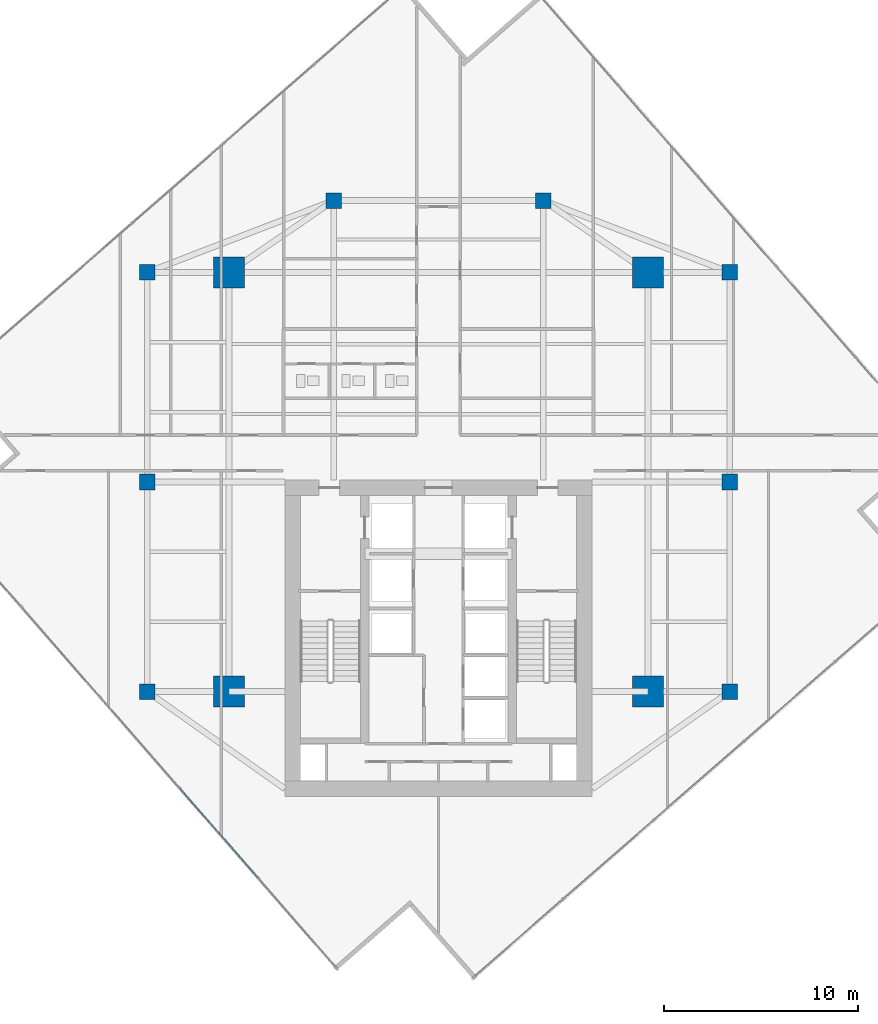
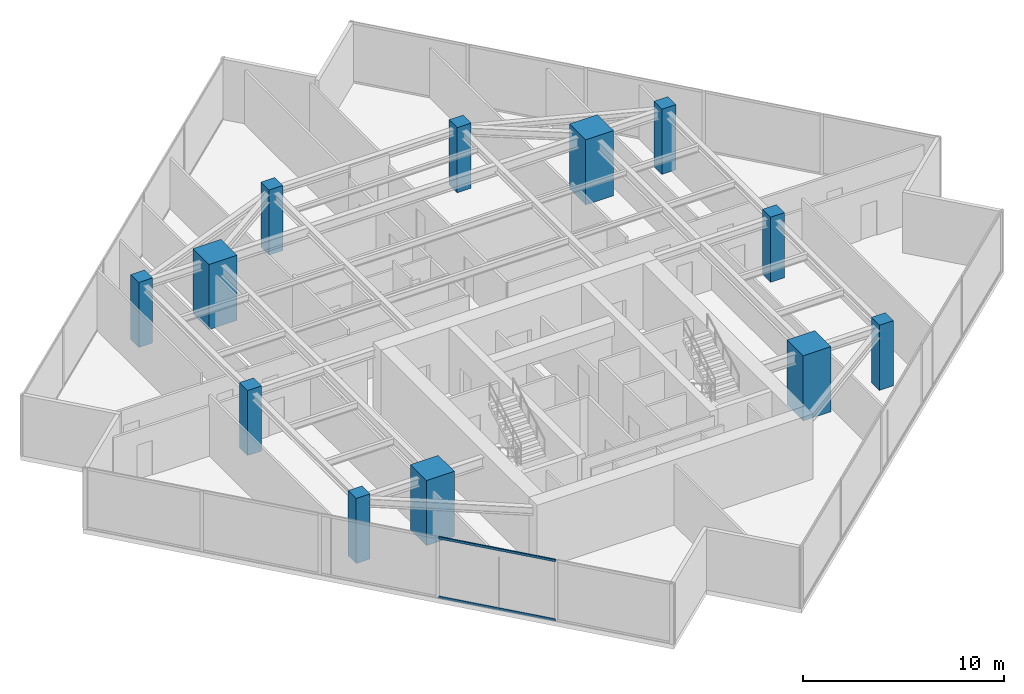
# One storey, part 1 of 24: 12 columns, 2 members, 1 element without a shape of its own.
"""IFC4 building model written with IfcOpenShell, lengths in metres."""

from ifc_helpers import new_model, si_unit, direction, frame, origin, origin_2d, place, context, subcontext, project, spatial, rectangle, hollow_rectangle, extrude, source, transform, mapped, material, material_profile, profile_set, type_object, type_shapes, element, aggregate, save


model = new_model("IFC4")

# Units and contexts
model_context = context("Model", 3, precision=1e-05, world=origin(), true_north=direction((0.0, 1.0)))
body_context = subcontext(model_context, "Body", "Model", "MODEL_VIEW")
ifc_project = project(units=[si_unit("LENGTHUNIT", "METRE"), si_unit("AREAUNIT", "SQUARE_METRE"), si_unit("VOLUMEUNIT", "CUBIC_METRE"), si_unit("PLANEANGLEUNIT", "RADIAN"), si_unit("MASSUNIT", "GRAM", prefix="KILO")], contexts=[model_context])

# Site, building, storey
site_placement = place(None, origin())
site = spatial("IfcSite", under=ifc_project, at=site_placement, CompositionType="ELEMENT")
building_placement = place(site_placement, origin())
building = spatial("IfcBuilding", under=site, at=building_placement, Name="Krantzveldt Concourse Tower", CompositionType="ELEMENT")
storey_placement = place(building_placement, frame((0.0, 0.0, 254.699951171875)))
storey = spatial("IfcBuildingStorey", under=building, at=storey_placement, Name="L62", CompositionType="ELEMENT", Elevation=254.699951171875)

# Columns
ifc_material_1 = material(Name="Concrete C50/60", Category="concrete")
ifc_material_profile_1 = material_profile(ifc_material_1, rectangle(XDim=1.60009765625, YDim=1.60009765625, at=origin_2d()), Name="Concrete C50/60", Category="concrete")
ifc_profile_set_1 = profile_set([ifc_material_profile_1], Name="Concrete C50/60 - RC 1600x1600")
column_type_1 = type_object("IfcColumnType", Name="COL-MC-1600", PredefinedType="USERDEFINED", material=ifc_profile_set_1)
shared_shape_1 = source(origin(), body_context, "Body", "SweptSolid", [
    extrude(rectangle(XDim=1.60009765625, YDim=1.60009765625, at=origin_2d()), origin(), (0.0, 0.0, 1.0), 3.949951171875),
])
type_shapes(column_type_1, [shared_shape_1])
for number, where, z_axis, x_axis, name in (
    (1, (25.199951171875, 15.89990234375, 0.0), (0.0, 0.0, 1.0), (1.0, 0.0, 0.0), "MC-SW-L62"),
    (2, (46.800048828125, 15.89990234375, 0.0), (0.0, 0.0, 1.0), (1.0, 0.0, 0.0), "MC-SE-L62"),
    (3, (46.800048828125, 37.5, 0.0), (0.0, 0.0, 1.0), (1.0, 0.0, 0.0), "MC-NE-L62"),
    (4, (25.199951171875, 37.5, 0.0), (0.0, 0.0, 1.0), (1.0, 0.0, 0.0), "MC-NW-L62"),
):
    element("IfcColumn", number, at=place(storey_placement, frame(where, z_axis=z_axis, x_axis=x_axis)), inside=storey, type_object=column_type_1, Name=name, ObjectType="MEGA COLUMN", PredefinedType="USERDEFINED", context=body_context, shape_type="MappedRepresentation", body=[
        mapped(shared_shape_1, transform((0.0, 0.0, 0.0), x_axis=(1.0, 0.0, 0.0), y_axis=(0.0, 1.0, 0.0), z_axis=(0.0, 0.0, 1.0), scale=1.0)),
    ])
ifc_material_profile_2 = material_profile(ifc_material_1, rectangle(XDim=0.800048828125, YDim=0.800048828125, at=origin_2d()), Name="Concrete C50/60", Category="concrete")
ifc_profile_set_2 = profile_set([ifc_material_profile_2], Name="Concrete C50/60 - RC 800x800")
column_type_2 = type_object("IfcColumnType", Name="COL-C-Z4", PredefinedType="COLUMN", material=ifc_profile_set_2)
shared_shape_2 = source(origin(), body_context, "Body", "SweptSolid", [
    extrude(rectangle(XDim=0.800048828125, YDim=0.800048828125, at=origin_2d()), origin(), (0.0, 0.0, 1.0), 3.949951171875),
])
type_shapes(column_type_2, [shared_shape_2])
for number, where, z_axis, x_axis, name in (
    (5, (21.0, 15.89990234375, 0.0), (0.0, 0.0, 1.0), (1.0, 0.0, 0.0), "PC-R01-L62"),
    (6, (21.0, 26.699951171875, 0.0), (0.0, 0.0, 1.0), (1.0, 0.0, 0.0), "PC-R02-L62"),
    (7, (21.0, 37.5, 0.0), (0.0, 0.0, 1.0), (1.0, 0.0, 0.0), "PC-R03-L62"),
    (8, (30.60009765625, 41.199951171875, 0.0), (0.0, 0.0, 1.0), (1.0, 0.0, 0.0), "PC-R04-L62"),
    (9, (41.39990234375, 41.199951171875, 0.0), (0.0, 0.0, 1.0), (1.0, 0.0, 0.0), "PC-R05-L62"),
    (10, (51.0, 37.5, 0.0), (0.0, 0.0, 1.0), (1.0, 0.0, 0.0), "PC-R06-L62"),
    (11, (51.0, 26.699951171875, 0.0), (0.0, 0.0, 1.0), (1.0, 0.0, 0.0), "PC-R07-L62"),
    (12, (51.0, 15.89990234375, 0.0), (0.0, 0.0, 1.0), (1.0, 0.0, 0.0), "PC-R08-L62"),
):
    element("IfcColumn", number, at=place(storey_placement, frame(where, z_axis=z_axis, x_axis=x_axis)), inside=storey, type_object=column_type_2, Name=name, PredefinedType="COLUMN", context=body_context, shape_type="MappedRepresentation", body=[
        mapped(shared_shape_2, transform((0.0, 0.0, 0.0), x_axis=(1.0, 0.0, 0.0), y_axis=(0.0, 1.0, 0.0), z_axis=(0.0, 0.0, 1.0), scale=1.0)),
    ])

# Curtain wall, members
ifc_material_2 = material(Name="Anodised aluminium 6063-T6", Category="aluminium")
curtain_wall_type = type_object("IfcCurtainWallType", Name="CW3", PredefinedType="USERDEFINED", material=ifc_material_2)
curtain_wall_placement = place(storey_placement, origin())
curtain_wall = element("IfcCurtainWall", 13, at=curtain_wall_placement, inside=storey, type_object=curtain_wall_type, Name="CW-L62-F04", ObjectType="UNITISED CURTAIN WALL", PredefinedType="USERDEFINED")
ifc_material_profile_3 = material_profile(ifc_material_2, hollow_rectangle(XDim=0.070068359375, YDim=0.139892578125, WallThickness=0.0048828125, at=origin_2d()), Name="Anodised aluminium 6063-T6", Category="aluminium")
ifc_profile_set_3 = profile_set([ifc_material_profile_3], Name="Anodised aluminium 6063-T6 - ALU-TRAN 140x70x5")
member_type = type_object("IfcMemberType", Name="CW-TRN-150", PredefinedType="USERDEFINED", material=ifc_profile_set_3)
shared_shape_3 = source(origin(), body_context, "Body", "SweptSolid", [
    extrude(hollow_rectangle(XDim=0.070068359375, YDim=0.139892578125, WallThickness=0.0048828125, at=origin_2d()), origin(), (0.0, 0.0, 1.0), 6.130126953125),
])
type_shapes(member_type, [shared_shape_3])
member_1_placement = place(storey_placement, frame((22.6875, 10.914794921875, 0.03515625), z_axis=(0.657697827635, -0.753281864593, 0.0), x_axis=(0.753281864593, 0.657697827635, 0.0)))
member_1 = element("IfcMember", 14, at=member_1_placement, type_object=member_type, Name="CW-Z34 transom 4.1", ObjectType="TRANSOM", PredefinedType="USERDEFINED", context=body_context, shape_type="MappedRepresentation", body=[
    mapped(shared_shape_3, transform((0.0, 0.0, 0.0), x_axis=(1.0, 0.0, 0.0), y_axis=(0.0, 1.0, 0.0), z_axis=(0.0, 0.0, 1.0), scale=1.0)),
])
member_2_placement = place(storey_placement, frame((22.6875, 10.914794921875, 3.635009765625), z_axis=(0.657697827635, -0.753281864593, 0.0), x_axis=(0.753281864593, 0.657697827635, 0.0)))
member_2 = element("IfcMember", 15, at=member_2_placement, type_object=member_type, Name="CW-Z34 transom 4.2", ObjectType="TRANSOM", PredefinedType="USERDEFINED", context=body_context, shape_type="MappedRepresentation", body=[
    mapped(shared_shape_3, transform((0.0, 0.0, 0.0), x_axis=(1.0, 0.0, 0.0), y_axis=(0.0, 1.0, 0.0), z_axis=(0.0, 0.0, 1.0), scale=1.0)),
])
aggregate(curtain_wall, [member_1, member_2])

save(model, "model.ifc")
